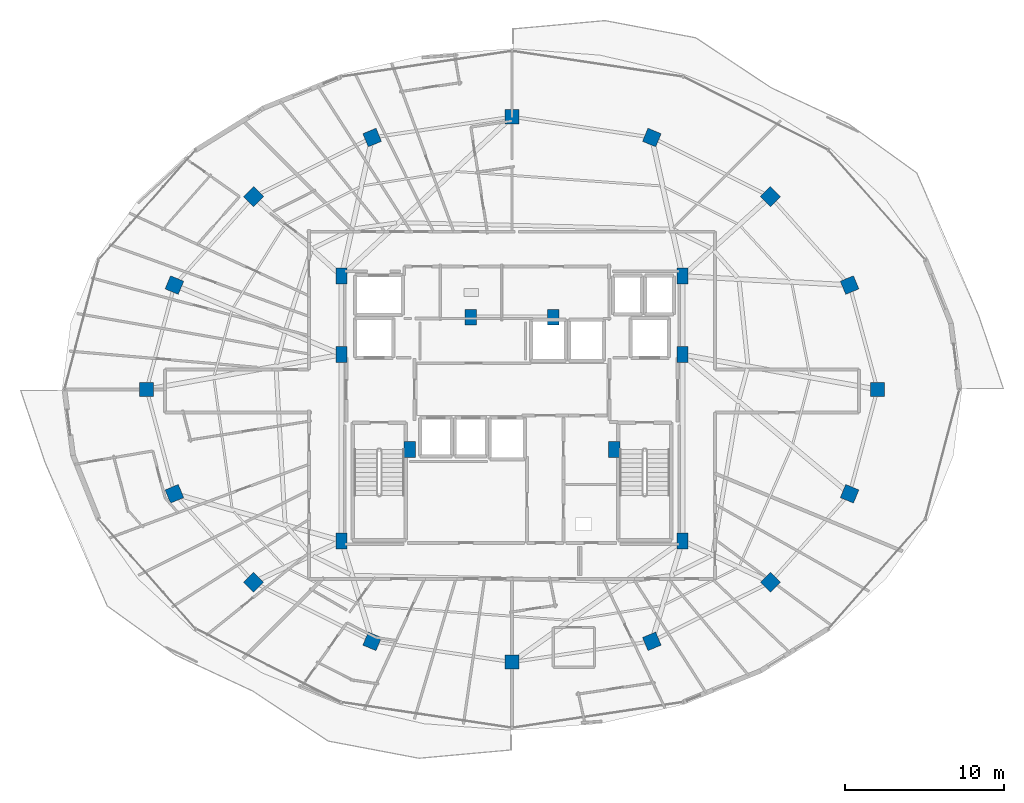
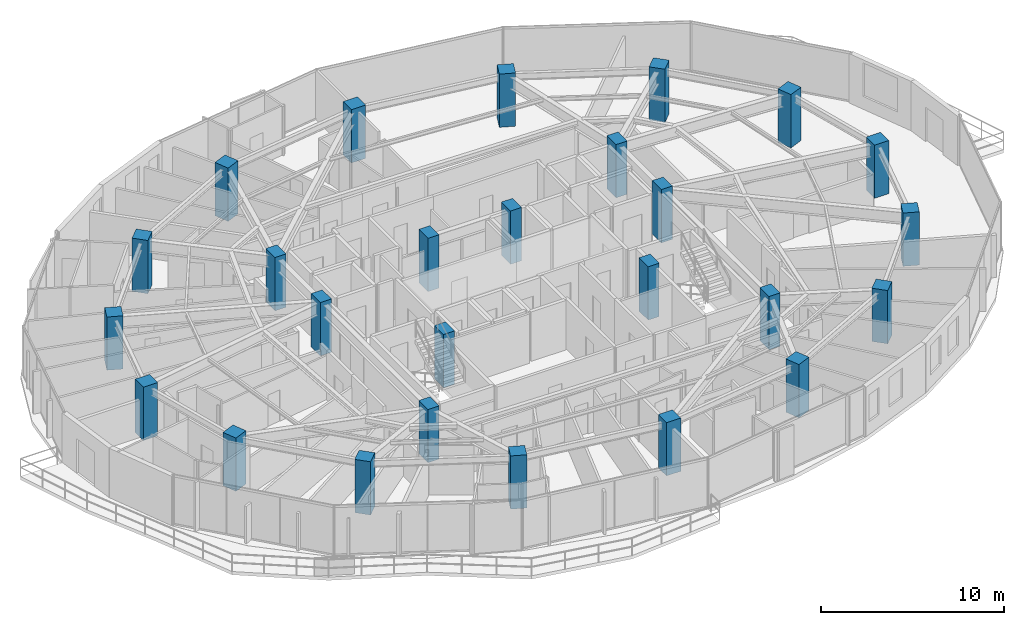
# One storey, part 1 of 32: 26 columns.
"""IFC4 building model written with IfcOpenShell, lengths in metres."""

from ifc_helpers import new_model, si_unit, direction, frame, origin, origin_2d, place, context, subcontext, project, spatial, rectangle, extrude, material, material_profile, profile_set, type_object, element, save


model = new_model("IFC4")

# Units and contexts
model_context = context("Model", 3, precision=1e-05, world=origin(), true_north=direction((0.0, 1.0)))
body_context = subcontext(model_context, "Body", "Model", "MODEL_VIEW")
ifc_project = project(units=[si_unit("LENGTHUNIT", "METRE"), si_unit("AREAUNIT", "SQUARE_METRE"), si_unit("VOLUMEUNIT", "CUBIC_METRE"), si_unit("PLANEANGLEUNIT", "RADIAN"), si_unit("MASSUNIT", "GRAM", prefix="KILO")], contexts=[model_context])

# Site, building, storey
site_placement = place(None, origin())
site = spatial("IfcSite", under=ifc_project, at=site_placement, CompositionType="ELEMENT")
building_placement = place(site_placement, origin())
building = spatial("IfcBuilding", under=site, at=building_placement, Name="Vorneva Point Tower", CompositionType="ELEMENT")
storey_placement = place(building_placement, frame((0.0, 0.0, 207.199951171875)))
storey = spatial("IfcBuildingStorey", under=building, at=storey_placement, Name="L56", CompositionType="ELEMENT", Elevation=207.199951171875)

# Columns
ifc_material = material(Name="Concrete B50 (C40/50)", Category="concrete")
ifc_material_profile_1 = material_profile(ifc_material, rectangle(XDim=0.89990234375, YDim=0.89990234375, at=origin_2d()), Name="RC-COL 900x900")
ifc_profile_set_1 = profile_set([ifc_material_profile_1], Name="Concrete B50 (C40/50)")
column_type_1 = type_object("IfcColumnType", Name="COL-RC900", PredefinedType="COLUMN", material=ifc_profile_set_1)
for number, where, z_axis, x_axis, name in (
    (1, (61.050048828125, 26.0, 0.0), (0.0, 0.0, 1.0), (1.0, 0.0, 0.0), "L56 Perimeter Column P01"),
    (2, (59.29541015625, 32.582275390625, 0.0), (0.0, 0.0, 1.0), (0.923879532511, 0.382683432365, 0.0), "L56 Perimeter Column P02"),
    (3, (54.298828125, 38.162109375, 0.0), (0.0, 0.0, 1.0), (0.707106781187, 0.707106781187, 0.0), "L56 Perimeter Column P03"),
    (4, (46.82080078125, 41.890625, 0.0), (0.0, 0.0, 1.0), (0.382683432365, 0.923879532511, 0.0), "L56 Perimeter Column P04"),
    (5, (38.0, 43.199951171875, 0.0), (0.0, 0.0, 1.0), (0.0, 1.0, 0.0), "L56 Perimeter Column P05"),
    (6, (29.17919921875, 41.890625, 0.0), (0.0, 0.0, 1.0), (-0.382683432365, 0.923879532511, 0.0), "L56 Perimeter Column P06"),
    (7, (21.701171875, 38.162109375, 0.0), (0.0, 0.0, 1.0), (-0.707106781187, 0.707106781187, 0.0), "L56 Perimeter Column P07"),
    (8, (16.70458984375, 32.582275390625, 0.0), (0.0, 0.0, 1.0), (-0.923879532511, 0.382683432365, 0.0), "L56 Perimeter Column P08"),
    (9, (14.949951171875, 26.0, 0.0), (0.0, 0.0, 1.0), (-1.0, 0.0, 0.0), "L56 Perimeter Column P09"),
    (10, (16.70458984375, 19.417724609375, 0.0), (0.0, 0.0, 1.0), (-0.923879532511, -0.382683432365, 0.0), "L56 Perimeter Column P10"),
    (11, (21.701171875, 13.837890625, 0.0), (0.0, 0.0, 1.0), (-0.707106781187, -0.707106781187, 0.0), "L56 Perimeter Column P11"),
    (12, (29.17919921875, 10.109375, 0.0), (0.0, 0.0, 1.0), (-0.382683432365, -0.923879532511, 0.0), "L56 Perimeter Column P12"),
    (13, (38.0, 8.800048828125, 0.0), (0.0, 0.0, 1.0), (0.0, -1.0, 0.0), "L56 Perimeter Column P13"),
    (14, (46.82080078125, 10.109375, 0.0), (0.0, 0.0, 1.0), (0.382683432365, -0.923879532511, 0.0), "L56 Perimeter Column P14"),
    (15, (54.298828125, 13.837890625, 0.0), (0.0, 0.0, 1.0), (0.707106781187, -0.707106781187, 0.0), "L56 Perimeter Column P15"),
    (16, (59.29541015625, 19.417724609375, 0.0), (0.0, 0.0, 1.0), (0.923879532511, -0.382683432365, 0.0), "L56 Perimeter Column P16"),
):
    element("IfcColumn", number, at=place(storey_placement, frame(where, z_axis=z_axis, x_axis=x_axis)), inside=storey, type_object=column_type_1, Name=name, PredefinedType="COLUMN", context=body_context, shape_type="SweptSolid", body=[
        extrude(rectangle(XDim=0.89990234375, YDim=0.89990234375, at=origin_2d()), origin(), (0.0, 0.0, 1.0), 3.550048828125),
    ])
ifc_material_profile_2 = material_profile(ifc_material, rectangle(XDim=0.699951171875, YDim=1.0, at=origin_2d()), Name="RC-PIL 1000x700")
ifc_profile_set_2 = profile_set([ifc_material_profile_2], Name="Concrete B50 (C40/50)")
column_type_2 = type_object("IfcColumnType", Name="PIL-RC1000x700", PredefinedType="PILASTER", material=ifc_profile_set_2)
for number, where, z_axis, x_axis, name in (
    (17, (27.25, 16.449951171875, 0.0), (0.0, 0.0, 1.0), (1.0, 0.0, 0.0), "L56 Core Pilaster CP1"),
    (18, (27.25, 28.199951171875, 0.0), (0.0, 0.0, 1.0), (1.0, 0.0, 0.0), "L56 Core Pilaster CP2"),
    (19, (27.25, 33.14990234375, 0.0), (0.0, 0.0, 1.0), (1.0, 0.0, 0.0), "L56 Core Pilaster CP3"),
    (20, (31.550048828125, 22.199951171875, 0.0), (0.0, 0.0, 1.0), (1.0, 0.0, 0.0), "L56 Core Pilaster CP4"),
    (21, (48.75, 33.14990234375, 0.0), (0.0, 0.0, 1.0), (1.0, 0.0, 0.0), "L56 Core Pilaster CP5"),
    (22, (48.75, 28.199951171875, 0.0), (0.0, 0.0, 1.0), (1.0, 0.0, 0.0), "L56 Core Pilaster CP6"),
    (23, (48.75, 16.449951171875, 0.0), (0.0, 0.0, 1.0), (1.0, 0.0, 0.0), "L56 Core Pilaster CP7"),
    (24, (44.449951171875, 22.199951171875, 0.0), (0.0, 0.0, 1.0), (1.0, 0.0, 0.0), "L56 Core Pilaster CP8"),
    (25, (35.39990234375, 30.550048828125, 0.0), (0.0, 0.0, 1.0), (1.0, 0.0, 0.0), "L56 Core Pilaster CP9"),
    (26, (40.60009765625, 30.550048828125, 0.0), (0.0, 0.0, 1.0), (1.0, 0.0, 0.0), "L56 Core Pilaster CP10"),
):
    element("IfcColumn", number, at=place(storey_placement, frame(where, z_axis=z_axis, x_axis=x_axis)), inside=storey, type_object=column_type_2, Name=name, PredefinedType="PILASTER", context=body_context, shape_type="SweptSolid", body=[
        extrude(rectangle(XDim=0.699951171875, YDim=1.0, at=origin_2d()), origin(), (0.0, 0.0, 1.0), 3.550048828125),
    ])

save(model, "model.ifc")
